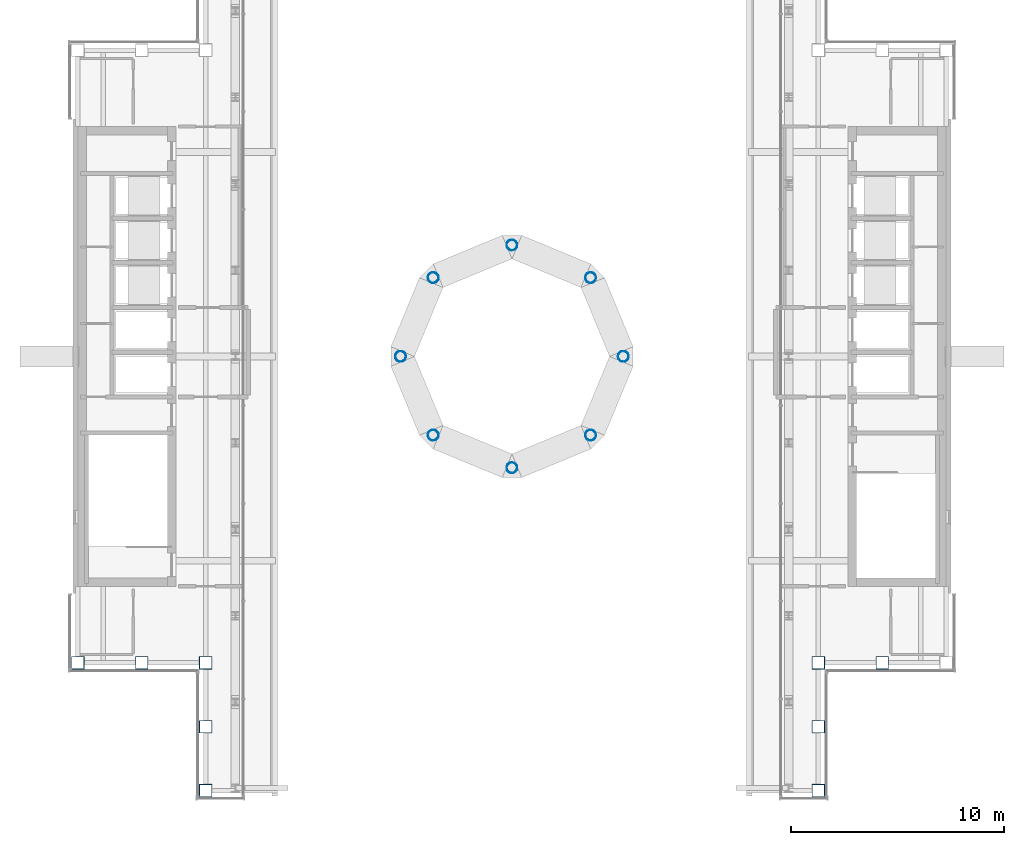
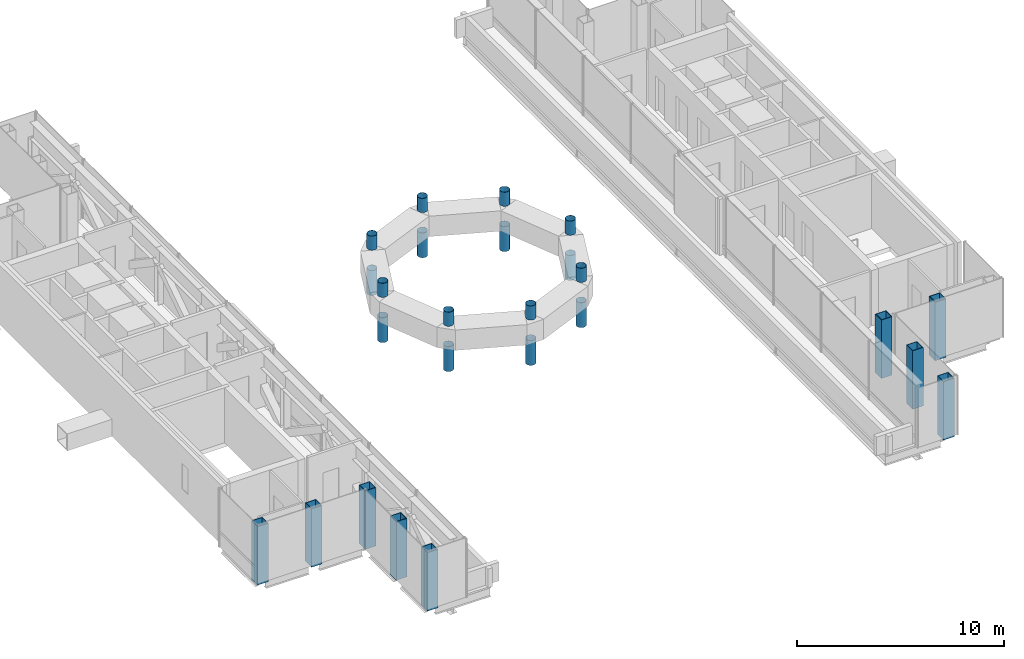
# One storey, part 1 of 16: 25 columns.
"""IFC4 building model written with IfcOpenShell, lengths in metres."""

from ifc_helpers import new_model, si_unit, direction, frame, origin, origin_2d, place, context, subcontext, project, spatial, hollow_rectangle, hollow_circle, extrude, material, material_profile, profile_set, type_object, element, save


model = new_model("IFC4")

# Units and contexts
model_context = context("Model", 3, precision=1e-05, world=origin(), true_north=direction((0.0, 1.0)))
body_context = subcontext(model_context, "Body", "Model", "MODEL_VIEW")
ifc_project = project(units=[si_unit("LENGTHUNIT", "METRE"), si_unit("AREAUNIT", "SQUARE_METRE"), si_unit("VOLUMEUNIT", "CUBIC_METRE"), si_unit("PLANEANGLEUNIT", "RADIAN"), si_unit("MASSUNIT", "GRAM", prefix="KILO")], contexts=[model_context])

# Site, building, storey
site_placement = place(None, origin())
site = spatial("IfcSite", under=ifc_project, at=site_placement, CompositionType="ELEMENT")
building_placement = place(site_placement, origin())
building = spatial("IfcBuilding", under=site, at=building_placement, Name="Cobrizo Arcos Hotel Tower", CompositionType="ELEMENT")
storey_placement = place(building_placement, frame((0.0, 0.0, 286.5)))
storey = spatial("IfcBuildingStorey", under=building, at=storey_placement, Name="L76", CompositionType="ELEMENT", Elevation=286.5)

# Columns
ifc_material_1 = material(Name="Steel ASTM A572 Grade 50", Category="steel")
ifc_material_profile_1 = material_profile(ifc_material_1, hollow_rectangle(XDim=0.60009765625, YDim=0.60009765625, WallThickness=0.030029296875, at=origin_2d()), Name="BOX 600X600X30")
ifc_profile_set_1 = profile_set([ifc_material_profile_1], Name="Steel ASTM A572 Grade 50")
column_type_1 = type_object("IfcColumnType", Name="BOX 600X600X30 column", PredefinedType="COLUMN", material=ifc_profile_set_1)
for number, where, z_axis, x_axis, name in (
    (1, (-14.39990234375, -20.39990234375, -0.14990234375), (0.0, 0.0, 1.0), (1.0, 0.0, 0.0), "Perimeter column C12, L76, no. 01"),
    (2, (14.39990234375, -20.39990234375, -0.14990234375), (0.0, 0.0, 1.0), (1.0, 0.0, 0.0), "Perimeter column C12, L76, no. 03"),
    (3, (-20.39990234375, -14.39990234375, -0.14990234375), (0.0, 0.0, 1.0), (1.0, 0.0, 0.0), "Perimeter column C12, L76, no. 05"),
    (4, (-14.39990234375, -14.39990234375, -0.14990234375), (0.0, 0.0, 1.0), (1.0, 0.0, 0.0), "Perimeter column C12, L76, no. 08"),
    (5, (-14.39990234375, -17.39990234375, -0.14990234375), (0.0, 0.0, 1.0), (1.0, 0.0, 0.0), "Perimeter column C12, L76, no. 09"),
    (6, (-17.39990234375, -14.39990234375, -0.14990234375), (0.0, 0.0, 1.0), (1.0, 0.0, 0.0), "Perimeter column C12, L76, no. 10"),
    (7, (14.39990234375, -14.39990234375, -0.14990234375), (0.0, 0.0, 1.0), (1.0, 0.0, 0.0), "Perimeter column C12, L76, no. 14"),
    (8, (14.39990234375, -17.39990234375, -0.14990234375), (0.0, 0.0, 1.0), (1.0, 0.0, 0.0), "Perimeter column C12, L76, no. 15"),
    (9, (17.39990234375, -14.39990234375, -0.14990234375), (0.0, 0.0, 1.0), (1.0, 0.0, 0.0), "Perimeter column C12, L76, no. 16"),
):
    element("IfcColumn", number, at=place(storey_placement, frame(where, z_axis=z_axis, x_axis=x_axis)), inside=storey, type_object=column_type_1, Name=name, PredefinedType="COLUMN", context=body_context, shape_type="SweptSolid", body=[
        extrude(hollow_rectangle(XDim=0.60009765625, YDim=0.60009765625, WallThickness=0.030029296875, at=origin_2d()), origin(), (0.0, 0.0, 1.0), 3.449951171875),
    ])
ifc_material_2 = material(Name="Steel ASTM A500 Grade C", Category="steel")
ifc_material_profile_2 = material_profile(ifc_material_2, hollow_circle(Radius=0.25390625, WallThickness=0.01171875, at=origin_2d()), Name="HSS20.000X0.500")
ifc_profile_set_2 = profile_set([ifc_material_profile_2], Name="Steel ASTM A500 Grade C")
column_type_2 = type_object("IfcColumnType", Name="HSS20.000X0.500 drum column", PredefinedType="COLUMN", material=ifc_profile_set_2)
for number, where, z_axis, x_axis, name in (
    (10, (5.232666015625, 0.0, 0.0), (0.0, 0.0, 1.0), (1.0, 0.0, 0.0), "Drum column DC1, tier 2, line 0, no. 2"),
    (11, (3.699951171875, 3.699951171875, 0.0), (0.0, 0.0, 1.0), (1.0, 0.0, 0.0), "Drum column DC2, tier 2, line 1, no. 2"),
    (12, (0.0, 5.232666015625, 0.0), (0.0, 0.0, 1.0), (1.0, 0.0, 0.0), "Drum column DC3, tier 2, line 2, no. 2"),
    (13, (-3.699951171875, 3.699951171875, 0.0), (0.0, 0.0, 1.0), (1.0, 0.0, 0.0), "Drum column DC4, tier 2, line 3, no. 2"),
    (14, (-5.232666015625, 0.0, 0.0), (0.0, 0.0, 1.0), (1.0, 0.0, 0.0), "Drum column DC5, tier 2, line 4, no. 2"),
    (15, (-3.699951171875, -3.699951171875, 0.0), (0.0, 0.0, 1.0), (1.0, 0.0, 0.0), "Drum column DC6, tier 2, line 5, no. 2"),
    (16, (0.0, -5.232666015625, 0.0), (0.0, 0.0, 1.0), (1.0, 0.0, 0.0), "Drum column DC7, tier 2, line 6, no. 2"),
    (17, (3.699951171875, -3.699951171875, 0.0), (0.0, 0.0, 1.0), (1.0, 0.0, 0.0), "Drum column DC8, tier 2, line 7, no. 2"),
):
    element("IfcColumn", number, at=place(storey_placement, frame(where, z_axis=z_axis, x_axis=x_axis)), inside=storey, type_object=column_type_2, Name=name, PredefinedType="COLUMN", context=body_context, shape_type="SweptSolid", body=[
        extrude(hollow_circle(Radius=0.25390625, WallThickness=0.01171875, at=origin_2d()), origin(), (0.0, 0.0, 1.0), 1.466796875),
    ])
for number, where, z_axis, x_axis, name in (
    (18, (5.232666015625, 0.0, 2.666748046875), (0.0, 0.0, 1.0), (1.0, 0.0, 0.0), "Drum column DC1, tier 3, line 0, no. 0"),
    (19, (3.699951171875, 3.699951171875, 2.666748046875), (0.0, 0.0, 1.0), (1.0, 0.0, 0.0), "Drum column DC2, tier 3, line 1, no. 0"),
    (20, (0.0, 5.232666015625, 2.666748046875), (0.0, 0.0, 1.0), (1.0, 0.0, 0.0), "Drum column DC3, tier 3, line 2, no. 0"),
    (21, (-3.699951171875, 3.699951171875, 2.666748046875), (0.0, 0.0, 1.0), (1.0, 0.0, 0.0), "Drum column DC4, tier 3, line 3, no. 0"),
    (22, (-5.232666015625, 0.0, 2.666748046875), (0.0, 0.0, 1.0), (1.0, 0.0, 0.0), "Drum column DC5, tier 3, line 4, no. 0"),
    (23, (-3.699951171875, -3.699951171875, 2.666748046875), (0.0, 0.0, 1.0), (1.0, 0.0, 0.0), "Drum column DC6, tier 3, line 5, no. 0"),
    (24, (0.0, -5.232666015625, 2.666748046875), (0.0, 0.0, 1.0), (1.0, 0.0, 0.0), "Drum column DC7, tier 3, line 6, no. 0"),
    (25, (3.699951171875, -3.699951171875, 2.666748046875), (0.0, 0.0, 1.0), (1.0, 0.0, 0.0), "Drum column DC8, tier 3, line 7, no. 0"),
):
    element("IfcColumn", number, at=place(storey_placement, frame(where, z_axis=z_axis, x_axis=x_axis)), inside=storey, type_object=column_type_2, Name=name, PredefinedType="COLUMN", context=body_context, shape_type="SweptSolid", body=[
        extrude(hollow_circle(Radius=0.25390625, WallThickness=0.01171875, at=origin_2d()), origin(), (0.0, 0.0, 1.0), 0.833251953125),
    ])

save(model, "model.ifc")
